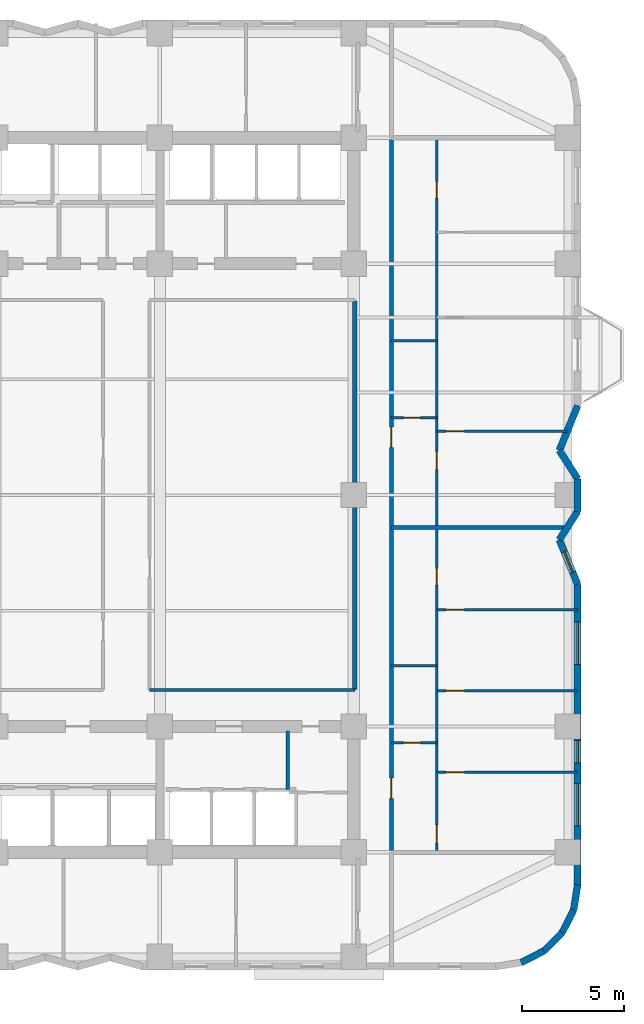
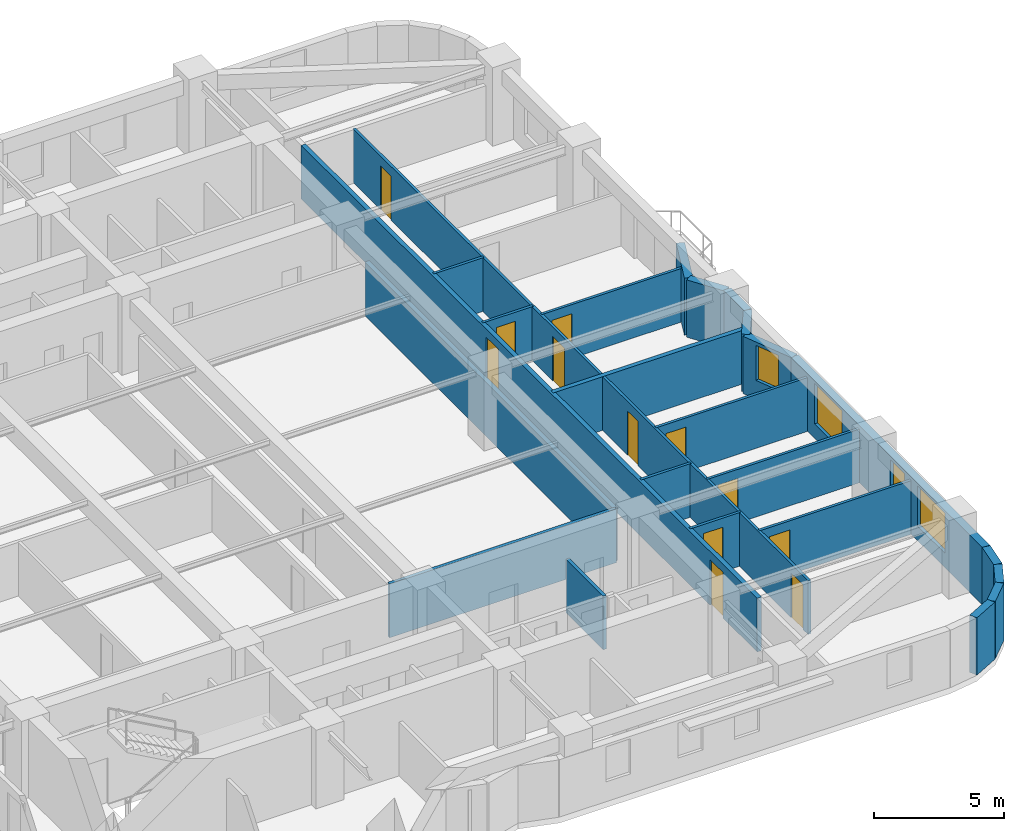
# One storey, part 5 of 11: 25 walls, 12 doors, 4 windows, 16 openings.
"""IFC4 building model written with IfcOpenShell, lengths in metres."""

from ifc_helpers import new_model, si_unit, direction, frame, frame_2d, origin, place, context, subcontext, project, spatial, rectangle, extrude, material, layer, layer_set, type_object, element, fill, save


model = new_model("IFC4")

# Units and contexts
model_context = context("Model", 3, precision=1e-05, world=origin(), true_north=direction((0.0, 1.0)))
body_context = subcontext(model_context, "Body", "Model", "MODEL_VIEW")
ifc_project = project(units=[si_unit("LENGTHUNIT", "METRE"), si_unit("AREAUNIT", "SQUARE_METRE"), si_unit("VOLUMEUNIT", "CUBIC_METRE"), si_unit("PLANEANGLEUNIT", "RADIAN"), si_unit("MASSUNIT", "GRAM", prefix="KILO")], contexts=[model_context])

# Site, building, storey
site_placement = place(None, origin())
site = spatial("IfcSite", under=ifc_project, at=site_placement, CompositionType="ELEMENT")
building_placement = place(site_placement, origin())
building = spatial("IfcBuilding", under=site, at=building_placement, Name="Svetorya Sky Lyceum", CompositionType="ELEMENT")
storey_placement = place(building_placement, frame((0.0, 0.0, 36.199951171875)))
storey = spatial("IfcBuildingStorey", under=building, at=storey_placement, Name="L08", CompositionType="ELEMENT", Elevation=36.199951171875)

# Walls
ifc_material_1 = material(Name="Putilovo limestone rainscreen on autoclaved cellular masonry", Category="masonry")
ifc_layer_1 = layer(ifc_material_1, 0.340087890625)
ifc_layer_set_1 = layer_set([ifc_layer_1], Name="Putilovo limestone rainscreen on autoclaved cellular masonry")
wall_type_1 = type_object("IfcWallType", Name="WL-EXT-340", PredefinedType="SOLIDWALL", material=ifc_layer_set_1)
for number, where, z_axis, x_axis, name in (
    (1, (61.04541015625, 5.167236328125, 0.0), (0.0, 0.0, 1.0), (0.890953769915, 0.454094020963, 0.0), "L08 Limestone Exterior Wall 13M"),
    (2, (62.168701171875, 5.73974609375, 0.0), (0.0, 0.0, 1.0), (0.707203598708, 0.707009950407, 0.0), "L08 Limestone Exterior Wall 14M"),
):
    element("IfcWall", number, at=place(storey_placement, frame(where, z_axis=z_axis, x_axis=x_axis)), inside=storey, type_object=wall_type_1, Name=name, PredefinedType="SOLIDWALL", context=body_context, shape_type="SweptSolid", body=[
        extrude(rectangle(XDim=1.2607421875, YDim=0.340087890625, at=frame_2d((0.63037109375, 0.0))), origin(), (0.0, 0.0, 1.0), 2.699951171875),
    ])
for number, where, z_axis, x_axis, name in (
    (3, (63.060302734375, 6.631103515625, 0.0), (0.0, 0.0, 1.0), (0.454015689056, 0.890993689142, 0.0), "L08 Limestone Exterior Wall 15M"),
    (4, (63.6328125, 7.754638671875, 0.0), (0.0, 0.0, 1.0), (0.15644975923, 0.987685918112, 0.0), "L08 Limestone Exterior Wall 16M"),
):
    element("IfcWall", number, at=place(storey_placement, frame(where, z_axis=z_axis, x_axis=x_axis)), inside=storey, type_object=wall_type_1, Name=name, PredefinedType="SOLIDWALL", context=body_context, shape_type="SweptSolid", body=[
        extrude(rectangle(XDim=1.260986328125, YDim=0.340087890625, at=frame_2d((0.63037109375, 0.0))), origin(), (0.0, 0.0, 1.0), 2.699951171875),
    ])

# Wall, openings, windows
wall_1_placement = place(storey_placement, frame((63.830078125, 9.0, 0.0), z_axis=(0.0, 0.0, 1.0), x_axis=(0.0, 1.0, 0.0)))
wall_1 = element("IfcWall", 5, at=wall_1_placement, inside=storey, type_object=wall_type_1, Name="L08 Limestone Exterior Wall 17M", PredefinedType="SOLIDWALL", context=body_context, shape_type="SweptSolid", body=[
    extrude(rectangle(XDim=14.800048828125, YDim=0.340087890625, at=frame_2d((7.39990234375, 0.0))), origin(), (0.0, 0.0, 1.0), 2.699951171875),
])
opening_1_placement = place(wall_1_placement, frame((2.89990234375, 0.0, 0.679931640625)))
opening_1 = element("IfcOpeningElement", 6, at=opening_1_placement, cuts=wall_1, Name="Opening W-R0", PredefinedType="OPENING", context=body_context, shape_type="SweptSolid", body=[
    extrude(rectangle(XDim=2.10009765625, YDim=1.89990234375, at=frame_2d((1.050048828125, 0.949951171875))), frame((0.0, 0.179931640625, 0.0), z_axis=(0.0, -1.0, 0.0), x_axis=(1.0, 0.0, 0.0)), (0.0, 0.0, 1.0), 0.360107421875),
])
opening_2_placement = place(wall_1_placement, frame((6.0, 0.0, 0.889892578125)))
opening_2 = element("IfcOpeningElement", 7, at=opening_2_placement, cuts=wall_1, Name="Opening W-R3", PredefinedType="OPENING", context=body_context, shape_type="SweptSolid", body=[
    extrude(rectangle(XDim=1.10009765625, YDim=1.64990234375, at=frame_2d((0.550048828125, 0.824951171875))), frame((0.0, 0.179931640625, 0.0), z_axis=(0.0, -1.0, 0.0), x_axis=(1.0, 0.0, 0.0)), (0.0, 0.0, 1.0), 0.360107421875),
])
opening_3_placement = place(wall_1_placement, frame((10.85009765625, 0.0, 0.679931640625)))
opening_3 = element("IfcOpeningElement", 8, at=opening_3_placement, cuts=wall_1, Name="Opening W-R0", PredefinedType="OPENING", context=body_context, shape_type="SweptSolid", body=[
    extrude(rectangle(XDim=2.10009765625, YDim=1.89990234375, at=frame_2d((1.050048828125, 0.949951171875))), frame((0.0, 0.179931640625, 0.0), z_axis=(0.0, -1.0, 0.0), x_axis=(1.0, 0.0, 0.0)), (0.0, 0.0, 1.0), 0.360107421875),
])
ifc_material_2 = material(Name="Thermally broken aluminium frame with triple low-E glazing", Category="aluminium")
window_type_1 = type_object("IfcWindowType", Name="WN-RES-110", PartitioningType="SINGLE_PANEL", PredefinedType="WINDOW", material=ifc_material_2)
window_1_placement = place(opening_2_placement, origin())
window_1 = element("IfcWindow", 9, at=window_1_placement, inside=storey, type_object=window_type_1, Name="L08 Facade Window W-R3.17M.3", OverallHeight=1.64990234375, OverallWidth=1.10009765625, PartitioningType="SINGLE_PANEL", PredefinedType="WINDOW", context=body_context, shape_type="SweptSolid", body=[
    extrude(rectangle(XDim=1.10009765625, YDim=1.64990234375, at=frame_2d((0.550048828125, 0.824951171875))), frame((0.0, 0.030029296875, 0.0), z_axis=(0.0, -1.0, 0.0), x_axis=(1.0, 0.0, 0.0)), (0.0, 0.0, 1.0), 0.06005859375),
])
fill(opening_2, window_1)
window_type_2 = type_object("IfcWindowType", Name="WN-RES-210", PartitioningType="TRIPLE_PANEL_VERTICAL", PredefinedType="WINDOW", material=ifc_material_2)
window_2_placement = place(opening_1_placement, origin())
window_2 = element("IfcWindow", 10, at=window_2_placement, inside=storey, type_object=window_type_2, Name="L08 Facade Window W-R0.17M.1", OverallHeight=1.89990234375, OverallWidth=2.10009765625, PartitioningType="SINGLE_PANEL", PredefinedType="WINDOW", context=body_context, shape_type="SweptSolid", body=[
    extrude(rectangle(XDim=2.10009765625, YDim=1.89990234375, at=frame_2d((1.050048828125, 0.949951171875))), frame((0.0, 0.030029296875, 0.0), z_axis=(0.0, -1.0, 0.0), x_axis=(1.0, 0.0, 0.0)), (0.0, 0.0, 1.0), 0.06005859375),
])
fill(opening_1, window_2)
window_3_placement = place(opening_3_placement, origin())
window_3 = element("IfcWindow", 11, at=window_3_placement, inside=storey, type_object=window_type_2, Name="L08 Facade Window W-R0.17M.2", OverallHeight=1.89990234375, OverallWidth=2.10009765625, PartitioningType="SINGLE_PANEL", PredefinedType="WINDOW", context=body_context, shape_type="SweptSolid", body=[
    extrude(rectangle(XDim=2.10009765625, YDim=1.89990234375, at=frame_2d((1.050048828125, 0.949951171875))), frame((0.0, 0.030029296875, 0.0), z_axis=(0.0, -1.0, 0.0), x_axis=(1.0, 0.0, 0.0)), (0.0, 0.0, 1.0), 0.06005859375),
])
fill(opening_3, window_3)

# Wall, opening, window
wall_2_placement = place(storey_placement, frame((63.830078125, 23.800048828125, 0.0), z_axis=(0.0, 0.0, 1.0), x_axis=(-0.378692835005, 0.925522412865, 0.0)))
wall_2 = element("IfcWall", 12, at=wall_2_placement, inside=storey, type_object=wall_type_1, Name="L08 Limestone Exterior Wall 18M", PredefinedType="SOLIDWALL", context=body_context, shape_type="SweptSolid", body=[
    extrude(rectangle(XDim=2.376953125, YDim=0.340087890625, at=frame_2d((1.1884765625, 0.0))), origin(), (0.0, 0.0, 1.0), 2.699951171875),
])
opening_4_placement = place(wall_2_placement, frame((0.638427734375, 0.0, 0.889892578125)))
opening_4 = element("IfcOpeningElement", 13, at=opening_4_placement, cuts=wall_2, Name="Opening W-R3", PredefinedType="OPENING", context=body_context, shape_type="SweptSolid", body=[
    extrude(rectangle(XDim=1.10009765625, YDim=1.64990234375, at=frame_2d((0.550048828125, 0.824951171875))), frame((0.0, 0.179931640625, 0.0), z_axis=(0.0, -1.0, 0.0), x_axis=(1.0, 0.0, 0.0)), (0.0, 0.0, 1.0), 0.360107421875),
])
window_4_placement = place(opening_4_placement, origin())
window_4 = element("IfcWindow", 14, at=window_4_placement, inside=storey, type_object=window_type_1, Name="L08 Facade Window W-R3.18M.1", OverallHeight=1.64990234375, OverallWidth=1.10009765625, PartitioningType="SINGLE_PANEL", PredefinedType="WINDOW", context=body_context, shape_type="SweptSolid", body=[
    extrude(rectangle(XDim=1.10009765625, YDim=1.64990234375, at=frame_2d((0.550048828125, 0.824951171875))), frame((0.0, 0.030029296875, 0.0), z_axis=(0.0, -1.0, 0.0), x_axis=(1.0, 0.0, 0.0)), (0.0, 0.0, 1.0), 0.06005859375),
])
fill(opening_4, window_4)

# Walls
wall_3_placement = place(storey_placement, frame((62.929931640625, 26.0, 0.0), z_axis=(0.0, 0.0, 1.0), x_axis=(0.540846555596, 0.841121277403, 0.0)))
element("IfcWall", 15, at=wall_3_placement, inside=storey, type_object=wall_type_1, Name="L08 Limestone Exterior Wall 19M", PredefinedType="SOLIDWALL", context=body_context, shape_type="SweptSolid", body=[
    extrude(rectangle(XDim=1.664306640625, YDim=0.340087890625, at=frame_2d((0.83203125, 0.0))), origin(), (0.0, 0.0, 1.0), 2.699951171875),
])
wall_4_placement = place(storey_placement, frame((63.830078125, 27.39990234375, 0.0), z_axis=(0.0, 0.0, 1.0), x_axis=(0.0, 1.0, 0.0)))
element("IfcWall", 16, at=wall_4_placement, inside=storey, type_object=wall_type_1, Name="L08 Limestone Exterior Wall 20M", PredefinedType="SOLIDWALL", context=body_context, shape_type="SweptSolid", body=[
    extrude(rectangle(XDim=1.60009765625, YDim=0.340087890625, at=frame_2d((0.800048828125, 0.0))), origin(), (0.0, 0.0, 1.0), 2.699951171875),
])
wall_5_placement = place(storey_placement, frame((63.830078125, 29.0, 0.0), z_axis=(0.0, 0.0, 1.0), x_axis=(-0.540846555596, 0.841121277403, 0.0)))
element("IfcWall", 17, at=wall_5_placement, inside=storey, type_object=wall_type_1, Name="L08 Limestone Exterior Wall 21M", PredefinedType="SOLIDWALL", context=body_context, shape_type="SweptSolid", body=[
    extrude(rectangle(XDim=1.664306640625, YDim=0.340087890625, at=frame_2d((0.83203125, 0.0))), origin(), (0.0, 0.0, 1.0), 2.699951171875),
])
wall_6_placement = place(storey_placement, frame((62.929931640625, 30.39990234375, 0.0), z_axis=(0.0, 0.0, 1.0), x_axis=(0.378656839344, 0.925537140269, 0.0)))
element("IfcWall", 18, at=wall_6_placement, inside=storey, type_object=wall_type_1, Name="L08 Limestone Exterior Wall 22M", PredefinedType="SOLIDWALL", context=body_context, shape_type="SweptSolid", body=[
    extrude(rectangle(XDim=2.377197265625, YDim=0.340087890625, at=frame_2d((1.1884765625, 0.0))), origin(), (0.0, 0.0, 1.0), 2.699951171875),
])

# Wall, opening, door
ifc_material_3 = material(Name="Twin-stud galvanized framing with double fireboard", Category="gypsum")
ifc_layer_2 = layer(ifc_material_3, 0.1201171875)
ifc_layer_set_2 = layer_set([ifc_layer_2], Name="Twin-stud galvanized framing with double fireboard")
wall_type_2 = type_object("IfcWallType", Name="WL-PART-120", PredefinedType="PARTITIONING", material=ifc_layer_set_2)
wall_7_placement = place(storey_placement, frame((54.64990234375, 16.0, 0.0), z_axis=(0.0, 0.0, 1.0), x_axis=(1.0, 0.0, 0.0)))
wall_7 = element("IfcWall", 19, at=wall_7_placement, inside=storey, type_object=wall_type_2, Name="L08 Interior Partition E1-WH1", PredefinedType="PARTITIONING", context=body_context, shape_type="SweptSolid", body=[
    extrude(rectangle(XDim=2.25, YDim=0.1201171875, at=frame_2d((1.125, 0.0))), origin(), (0.0, 0.0, 1.0), 2.530029296875),
])
opening_5_placement = place(wall_7_placement, frame((0.60009765625, 0.0, 0.0)))
opening_5 = element("IfcOpeningElement", 20, at=opening_5_placement, cuts=wall_7, Name="Opening D-BT1", PredefinedType="OPENING", context=body_context, shape_type="SweptSolid", body=[
    extrude(rectangle(XDim=0.85009765625, YDim=2.10009765625, at=frame_2d((0.425048828125, 1.050048828125))), frame((0.0, 0.070068359375, 0.0), z_axis=(0.0, -1.0, 0.0), x_axis=(1.0, 0.0, 0.0)), (0.0, 0.0, 1.0), 0.14013671875),
])
ifc_material_4 = material(Name="Moisture-resistant laminate bathroom door")
door_type_1 = type_object("IfcDoorType", Name="DR-WET-850", OperationType="SINGLE_SWING_LEFT", PredefinedType="DOOR", material=ifc_material_4)
door_1_placement = place(opening_5_placement, origin())
door_1 = element("IfcDoor", 21, at=door_1_placement, inside=storey, type_object=door_type_1, Name="Apartment E1 Bathroom Door", OperationType="SINGLE_SWING_RIGHT", OverallHeight=2.10009765625, OverallWidth=0.85009765625, PredefinedType="DOOR", context=body_context, shape_type="SweptSolid", body=[
    extrude(rectangle(XDim=0.85009765625, YDim=2.10009765625, at=frame_2d((0.425048828125, 1.050048828125))), frame((0.0, 0.02490234375, 0.0), z_axis=(0.0, -1.0, 0.0), x_axis=(1.0, 0.0, 0.0)), (0.0, 0.0, 1.0), 0.050048828125),
])
fill(opening_5, door_1)

# Wall
wall_8_placement = place(storey_placement, frame((54.64990234375, 19.800048828125, 0.0), z_axis=(0.0, 0.0, 1.0), x_axis=(1.0, 0.0, 0.0)))
element("IfcWall", 22, at=wall_8_placement, inside=storey, type_object=wall_type_2, Name="L08 Interior Partition E1-WH2", PredefinedType="PARTITIONING", context=body_context, shape_type="SweptSolid", body=[
    extrude(rectangle(XDim=2.25, YDim=0.1201171875, at=frame_2d((1.125, 0.0))), origin(), (0.0, 0.0, 1.0), 2.530029296875),
])

# Wall, opening, door
wall_9_placement = place(storey_placement, frame((56.89990234375, 14.550048828125, 0.0), z_axis=(0.0, 0.0, 1.0), x_axis=(1.0, 0.0, 0.0)))
wall_9 = element("IfcWall", 23, at=wall_9_placement, inside=storey, type_object=wall_type_2, Name="L08 Interior Partition E1-WL1", PredefinedType="PARTITIONING", context=body_context, shape_type="SweptSolid", body=[
    extrude(rectangle(XDim=6.93017578125, YDim=0.1201171875, at=frame_2d((3.465087890625, 0.0))), origin(), (0.0, 0.0, 1.0), 2.530029296875),
])
opening_6_placement = place(wall_9_placement, frame((0.449951171875, 0.0, 0.0)))
opening_6 = element("IfcOpeningElement", 24, at=opening_6_placement, cuts=wall_9, Name="Opening D-RM1", PredefinedType="OPENING", context=body_context, shape_type="SweptSolid", body=[
    extrude(rectangle(XDim=0.89990234375, YDim=2.10009765625, at=frame_2d((0.449951171875, 1.050048828125))), frame((0.0, 0.070068359375, 0.0), z_axis=(0.0, -1.0, 0.0), x_axis=(1.0, 0.0, 0.0)), (0.0, 0.0, 1.0), 0.14013671875),
])
ifc_material_5 = material(Name="Lacquered birch veneer internal door")
door_type_2 = type_object("IfcDoorType", Name="DR-INT-900", OperationType="SINGLE_SWING_LEFT", PredefinedType="DOOR", material=ifc_material_5)
door_2_placement = place(opening_6_placement, origin())
door_2 = element("IfcDoor", 25, at=door_2_placement, inside=storey, type_object=door_type_2, Name="Apartment E1 Master Bedroom Door", OperationType="SINGLE_SWING_RIGHT", OverallHeight=2.10009765625, OverallWidth=0.89990234375, PredefinedType="DOOR", context=body_context, shape_type="SweptSolid", body=[
    extrude(rectangle(XDim=0.89990234375, YDim=2.10009765625, at=frame_2d((0.449951171875, 1.050048828125))), frame((0.0, 0.02490234375, 0.0), z_axis=(0.0, -1.0, 0.0), x_axis=(1.0, 0.0, 0.0)), (0.0, 0.0, 1.0), 0.050048828125),
])
fill(opening_6, door_2)

wall_10_placement = place(storey_placement, frame((56.89990234375, 18.550048828125, 0.0), z_axis=(0.0, 0.0, 1.0), x_axis=(1.0, 0.0, 0.0)))
wall_10 = element("IfcWall", 26, at=wall_10_placement, inside=storey, type_object=wall_type_2, Name="L08 Interior Partition E1-WL2", PredefinedType="PARTITIONING", context=body_context, shape_type="SweptSolid", body=[
    extrude(rectangle(XDim=6.93017578125, YDim=0.1201171875, at=frame_2d((3.465087890625, 0.0))), origin(), (0.0, 0.0, 1.0), 2.530029296875),
])
opening_7_placement = place(wall_10_placement, frame((0.449951171875, 0.0, 0.0)))
opening_7 = element("IfcOpeningElement", 27, at=opening_7_placement, cuts=wall_10, Name="Opening D-RM1", PredefinedType="OPENING", context=body_context, shape_type="SweptSolid", body=[
    extrude(rectangle(XDim=0.89990234375, YDim=2.10009765625, at=frame_2d((0.449951171875, 1.050048828125))), frame((0.0, 0.070068359375, 0.0), z_axis=(0.0, -1.0, 0.0), x_axis=(1.0, 0.0, 0.0)), (0.0, 0.0, 1.0), 0.14013671875),
])
door_3_placement = place(opening_7_placement, origin())
door_3 = element("IfcDoor", 28, at=door_3_placement, inside=storey, type_object=door_type_2, Name="Apartment E1 Bedroom 2 Door", OperationType="SINGLE_SWING_LEFT", OverallHeight=2.10009765625, OverallWidth=0.89990234375, PredefinedType="DOOR", context=body_context, shape_type="SweptSolid", body=[
    extrude(rectangle(XDim=0.89990234375, YDim=2.10009765625, at=frame_2d((0.449951171875, 1.050048828125))), frame((0.0, 0.02490234375, 0.0), z_axis=(0.0, -1.0, 0.0), x_axis=(1.0, 0.0, 0.0)), (0.0, 0.0, 1.0), 0.050048828125),
])
fill(opening_7, door_3)

wall_11_placement = place(storey_placement, frame((56.89990234375, 22.550048828125, 0.0), z_axis=(0.0, 0.0, 1.0), x_axis=(1.0, 0.0, 0.0)))
wall_11 = element("IfcWall", 29, at=wall_11_placement, inside=storey, type_object=wall_type_2, Name="L08 Interior Partition E1-WL3", PredefinedType="PARTITIONING", context=body_context, shape_type="SweptSolid", body=[
    extrude(rectangle(XDim=6.93017578125, YDim=0.1201171875, at=frame_2d((3.465087890625, 0.0))), origin(), (0.0, 0.0, 1.0), 2.530029296875),
])
opening_8_placement = place(wall_11_placement, frame((0.449951171875, 0.0, 0.0)))
opening_8 = element("IfcOpeningElement", 30, at=opening_8_placement, cuts=wall_11, Name="Opening D-RM1", PredefinedType="OPENING", context=body_context, shape_type="SweptSolid", body=[
    extrude(rectangle(XDim=0.89990234375, YDim=2.10009765625, at=frame_2d((0.449951171875, 1.050048828125))), frame((0.0, 0.070068359375, 0.0), z_axis=(0.0, -1.0, 0.0), x_axis=(1.0, 0.0, 0.0)), (0.0, 0.0, 1.0), 0.14013671875),
])
door_4_placement = place(opening_8_placement, origin())
door_4 = element("IfcDoor", 31, at=door_4_placement, inside=storey, type_object=door_type_2, Name="Apartment E1 Bedroom 3 Door", OperationType="SINGLE_SWING_RIGHT", OverallHeight=2.10009765625, OverallWidth=0.89990234375, PredefinedType="DOOR", context=body_context, shape_type="SweptSolid", body=[
    extrude(rectangle(XDim=0.89990234375, YDim=2.10009765625, at=frame_2d((0.449951171875, 1.050048828125))), frame((0.0, 0.02490234375, 0.0), z_axis=(0.0, -1.0, 0.0), x_axis=(1.0, 0.0, 0.0)), (0.0, 0.0, 1.0), 0.050048828125),
])
fill(opening_8, door_4)

# Wall, openings, doors
wall_12_placement = place(storey_placement, frame((56.89990234375, 10.639892578125, 0.0), z_axis=(0.0, 0.0, 1.0), x_axis=(0.0, 1.0, 0.0)))
wall_12 = element("IfcWall", 32, at=wall_12_placement, inside=storey, type_object=wall_type_2, Name="L08 Interior Partition E1-WV", PredefinedType="PARTITIONING", context=body_context, shape_type="SweptSolid", body=[
    extrude(rectangle(XDim=15.920166015625, YDim=0.1201171875, at=frame_2d((7.9599609375, 0.0))), origin(), (0.0, 0.0, 1.0), 2.530029296875),
])
opening_9_placement = place(wall_12_placement, frame((0.409912109375, 0.0, 0.0)))
opening_9 = element("IfcOpeningElement", 33, at=opening_9_placement, cuts=wall_12, Name="Opening D-RM1", PredefinedType="OPENING", context=body_context, shape_type="SweptSolid", body=[
    extrude(rectangle(XDim=0.89990234375, YDim=2.10009765625, at=frame_2d((0.449951171875, 1.050048828125))), frame((0.0, 0.070068359375, 0.0), z_axis=(0.0, -1.0, 0.0), x_axis=(1.0, 0.0, 0.0)), (0.0, 0.0, 1.0), 0.14013671875),
])
opening_10_placement = place(wall_12_placement, frame((13.125, 0.0, 0.0)))
opening_10 = element("IfcOpeningElement", 34, at=opening_10_placement, cuts=wall_12, Name="Opening D-BT2", PredefinedType="OPENING", context=body_context, shape_type="SweptSolid", body=[
    extrude(rectangle(XDim=0.820068359375, YDim=2.080078125, at=frame_2d((0.41015625, 1.0400390625))), frame((0.0, 0.070068359375, 0.0), z_axis=(0.0, -1.0, 0.0), x_axis=(1.0, 0.0, 0.0)), (0.0, 0.0, 1.0), 0.14013671875),
])
door_5_placement = place(opening_9_placement, origin())
door_5 = element("IfcDoor", 35, at=door_5_placement, inside=storey, type_object=door_type_2, Name="Apartment E1 Living Door", OperationType="SINGLE_SWING_LEFT", OverallHeight=2.10009765625, OverallWidth=0.89990234375, PredefinedType="DOOR", context=body_context, shape_type="SweptSolid", body=[
    extrude(rectangle(XDim=0.89990234375, YDim=2.10009765625, at=frame_2d((0.449951171875, 1.050048828125))), frame((0.0, 0.02490234375, 0.0), z_axis=(0.0, -1.0, 0.0), x_axis=(1.0, 0.0, 0.0)), (0.0, 0.0, 1.0), 0.050048828125),
])
fill(opening_9, door_5)
ifc_material_6 = material(Name="Compact moisture-resistant laminate closet door")
door_type_3 = type_object("IfcDoorType", Name="DR-WET-820", OperationType="SINGLE_SWING_LEFT", PredefinedType="DOOR", material=ifc_material_6)
door_6_placement = place(opening_10_placement, origin())
door_6 = element("IfcDoor", 36, at=door_6_placement, inside=storey, type_object=door_type_3, Name="Apartment E1 Study Door", OperationType="SINGLE_SWING_RIGHT", OverallHeight=2.080078125, OverallWidth=0.820068359375, PredefinedType="DOOR", context=body_context, shape_type="SweptSolid", body=[
    extrude(rectangle(XDim=0.820068359375, YDim=2.080078125, at=frame_2d((0.41015625, 1.0400390625))), frame((0.0, 0.02490234375, 0.0), z_axis=(0.0, -1.0, 0.0), x_axis=(1.0, 0.0, 0.0)), (0.0, 0.0, 1.0), 0.050048828125),
])
fill(opening_10, door_6)

# Wall, opening, door
wall_13_placement = place(storey_placement, frame((54.64990234375, 32.0, 0.0), z_axis=(0.0, 0.0, 1.0), x_axis=(1.0, 0.0, 0.0)))
wall_13 = element("IfcWall", 37, at=wall_13_placement, inside=storey, type_object=wall_type_2, Name="L08 Interior Partition E2-WH1", PredefinedType="PARTITIONING", context=body_context, shape_type="SweptSolid", body=[
    extrude(rectangle(XDim=2.25, YDim=0.1201171875, at=frame_2d((1.125, 0.0))), origin(), (0.0, 0.0, 1.0), 2.530029296875),
])
opening_11_placement = place(wall_13_placement, frame((0.60009765625, 0.0, 0.0)))
opening_11 = element("IfcOpeningElement", 38, at=opening_11_placement, cuts=wall_13, Name="Opening D-BT1", PredefinedType="OPENING", context=body_context, shape_type="SweptSolid", body=[
    extrude(rectangle(XDim=0.85009765625, YDim=2.10009765625, at=frame_2d((0.425048828125, 1.050048828125))), frame((0.0, 0.070068359375, 0.0), z_axis=(0.0, -1.0, 0.0), x_axis=(1.0, 0.0, 0.0)), (0.0, 0.0, 1.0), 0.14013671875),
])
door_7_placement = place(opening_11_placement, origin())
door_7 = element("IfcDoor", 39, at=door_7_placement, inside=storey, type_object=door_type_1, Name="Apartment E2 Bathroom Door", OperationType="SINGLE_SWING_LEFT", OverallHeight=2.10009765625, OverallWidth=0.85009765625, PredefinedType="DOOR", context=body_context, shape_type="SweptSolid", body=[
    extrude(rectangle(XDim=0.85009765625, YDim=2.10009765625, at=frame_2d((0.425048828125, 1.050048828125))), frame((0.0, 0.02490234375, 0.0), z_axis=(0.0, -1.0, 0.0), x_axis=(1.0, 0.0, 0.0)), (0.0, 0.0, 1.0), 0.050048828125),
])
fill(opening_11, door_7)

# Wall
wall_14_placement = place(storey_placement, frame((54.64990234375, 35.800048828125, 0.0), z_axis=(0.0, 0.0, 1.0), x_axis=(1.0, 0.0, 0.0)))
element("IfcWall", 40, at=wall_14_placement, inside=storey, type_object=wall_type_2, Name="L08 Interior Partition E2-WH2", PredefinedType="PARTITIONING", context=body_context, shape_type="SweptSolid", body=[
    extrude(rectangle(XDim=2.25, YDim=0.1201171875, at=frame_2d((1.125, 0.0))), origin(), (0.0, 0.0, 1.0), 2.530029296875),
])

# Wall, opening, door
wall_15_placement = place(storey_placement, frame((56.89990234375, 31.35009765625, 0.0), z_axis=(0.0, 0.0, 1.0), x_axis=(1.0, 0.0, 0.0)))
wall_15 = element("IfcWall", 41, at=wall_15_placement, inside=storey, type_object=wall_type_2, Name="L08 Interior Partition E2-WL1", PredefinedType="PARTITIONING", context=body_context, shape_type="SweptSolid", body=[
    extrude(rectangle(XDim=6.418701171875, YDim=0.1201171875, at=frame_2d((3.20947265625, 0.0))), origin(), (0.0, 0.0, 1.0), 2.530029296875),
])
opening_12_placement = place(wall_15_placement, frame((0.449951171875, 0.0, 0.0)))
opening_12 = element("IfcOpeningElement", 42, at=opening_12_placement, cuts=wall_15, Name="Opening D-RM1", PredefinedType="OPENING", context=body_context, shape_type="SweptSolid", body=[
    extrude(rectangle(XDim=0.89990234375, YDim=2.10009765625, at=frame_2d((0.449951171875, 1.050048828125))), frame((0.0, 0.070068359375, 0.0), z_axis=(0.0, -1.0, 0.0), x_axis=(1.0, 0.0, 0.0)), (0.0, 0.0, 1.0), 0.14013671875),
])
door_8_placement = place(opening_12_placement, origin())
door_8 = element("IfcDoor", 43, at=door_8_placement, inside=storey, type_object=door_type_2, Name="Apartment E2 Master Bedroom Door", OperationType="SINGLE_SWING_LEFT", OverallHeight=2.10009765625, OverallWidth=0.89990234375, PredefinedType="DOOR", context=body_context, shape_type="SweptSolid", body=[
    extrude(rectangle(XDim=0.89990234375, YDim=2.10009765625, at=frame_2d((0.449951171875, 1.050048828125))), frame((0.0, 0.02490234375, 0.0), z_axis=(0.0, -1.0, 0.0), x_axis=(1.0, 0.0, 0.0)), (0.0, 0.0, 1.0), 0.050048828125),
])
fill(opening_12, door_8)

# Wall, openings, doors
wall_16_placement = place(storey_placement, frame((56.89990234375, 26.639892578125, 0.0), z_axis=(0.0, 0.0, 1.0), x_axis=(0.0, 1.0, 0.0)))
wall_16 = element("IfcWall", 44, at=wall_16_placement, inside=storey, type_object=wall_type_2, Name="L08 Interior Partition E2-WV", PredefinedType="PARTITIONING", context=body_context, shape_type="SweptSolid", body=[
    extrude(rectangle(XDim=19.1201171875, YDim=0.1201171875, at=frame_2d((9.56005859375, 0.0))), origin(), (0.0, 0.0, 1.0), 2.530029296875),
])
opening_13_placement = place(wall_16_placement, frame((2.81005859375, 0.0, 0.0)))
opening_13 = element("IfcOpeningElement", 45, at=opening_13_placement, cuts=wall_16, Name="Opening D-RM1", PredefinedType="OPENING", context=body_context, shape_type="SweptSolid", body=[
    extrude(rectangle(XDim=0.89990234375, YDim=2.10009765625, at=frame_2d((0.449951171875, 1.050048828125))), frame((0.0, 0.070068359375, 0.0), z_axis=(0.0, -1.0, 0.0), x_axis=(1.0, 0.0, 0.0)), (0.0, 0.0, 1.0), 0.14013671875),
])
opening_14_placement = place(wall_16_placement, frame((16.179931640625, 0.0, 0.0)))
opening_14 = element("IfcOpeningElement", 46, at=opening_14_placement, cuts=wall_16, Name="Opening D-BT2", PredefinedType="OPENING", context=body_context, shape_type="SweptSolid", body=[
    extrude(rectangle(XDim=0.820068359375, YDim=2.080078125, at=frame_2d((0.41015625, 1.0400390625))), frame((0.0, 0.070068359375, 0.0), z_axis=(0.0, -1.0, 0.0), x_axis=(1.0, 0.0, 0.0)), (0.0, 0.0, 1.0), 0.14013671875),
])
door_9_placement = place(opening_13_placement, origin())
door_9 = element("IfcDoor", 47, at=door_9_placement, inside=storey, type_object=door_type_2, Name="Apartment E2 Living Door", OperationType="SINGLE_SWING_RIGHT", OverallHeight=2.10009765625, OverallWidth=0.89990234375, PredefinedType="DOOR", context=body_context, shape_type="SweptSolid", body=[
    extrude(rectangle(XDim=0.89990234375, YDim=2.10009765625, at=frame_2d((0.449951171875, 1.050048828125))), frame((0.0, 0.02490234375, 0.0), z_axis=(0.0, -1.0, 0.0), x_axis=(1.0, 0.0, 0.0)), (0.0, 0.0, 1.0), 0.050048828125),
])
fill(opening_13, door_9)
door_10_placement = place(opening_14_placement, origin())
door_10 = element("IfcDoor", 48, at=door_10_placement, inside=storey, type_object=door_type_3, Name="Apartment E2 Study Door", OperationType="SINGLE_SWING_LEFT", OverallHeight=2.080078125, OverallWidth=0.820068359375, PredefinedType="DOOR", context=body_context, shape_type="SweptSolid", body=[
    extrude(rectangle(XDim=0.820068359375, YDim=2.080078125, at=frame_2d((0.41015625, 1.0400390625))), frame((0.0, 0.02490234375, 0.0), z_axis=(0.0, -1.0, 0.0), x_axis=(1.0, 0.0, 0.0)), (0.0, 0.0, 1.0), 0.050048828125),
])
fill(opening_14, door_10)

# Walls
ifc_material_7 = material(Name="Autoclaved cellular masonry blockwork with acoustic render", Category="masonry")
ifc_layer_3 = layer(ifc_material_7, 0.14990234375)
ifc_layer_set_3 = layer_set([ifc_layer_3], Name="Autoclaved cellular masonry blockwork with acoustic render")
wall_type_3 = type_object("IfcWallType", Name="WL-PART-150", PredefinedType="PARTITIONING", material=ifc_layer_set_3)
wall_17_placement = place(storey_placement, frame((49.550048828125, 13.699951171875, 0.0), z_axis=(0.0, 0.0, 1.0), x_axis=(0.0, 1.0, 0.0)))
element("IfcWall", 49, at=wall_17_placement, inside=storey, type_object=wall_type_3, Name="L08 Interior Partition SC-AUX-V", PredefinedType="PARTITIONING", context=body_context, shape_type="SweptSolid", body=[
    extrude(rectangle(XDim=2.880126953125, YDim=0.14990234375, at=frame_2d((1.43994140625, 0.0))), origin(), (0.0, 0.0, 1.0), 2.530029296875),
])
wall_18_placement = place(storey_placement, frame((42.75, 18.60009765625, 0.0), z_axis=(0.0, 0.0, 1.0), x_axis=(1.0, 0.0, 0.0)))
element("IfcWall", 50, at=wall_18_placement, inside=storey, type_object=wall_type_3, Name="L08 Interior Partition CS-MID-E", PredefinedType="PARTITIONING", context=body_context, shape_type="SweptSolid", body=[
    extrude(rectangle(XDim=10.10009765625, YDim=0.14990234375, at=frame_2d((5.050048828125, 0.0))), origin(), (0.0, 0.0, 1.0), 2.530029296875),
])
ifc_material_8 = material(Name="Autoclaved cellular masonry blockwork with gypsum plaster", Category="masonry")
ifc_layer_4 = layer(ifc_material_8, 0.199951171875)
ifc_layer_set_4 = layer_set([ifc_layer_4], Name="Autoclaved cellular masonry blockwork with gypsum plaster")
wall_type_4 = type_object("IfcWallType", Name="WL-PART-200", PredefinedType="PARTITIONING", material=ifc_layer_set_4)
wall_19_placement = place(storey_placement, frame((52.85009765625, 18.6298828125, 0.0), z_axis=(0.0, 0.0, 1.0), x_axis=(0.0, 1.0, 0.0)))
element("IfcWall", 51, at=wall_19_placement, inside=storey, type_object=wall_type_4, Name="L08 Interior Partition E-CEN-SEP", PredefinedType="PARTITIONING", context=body_context, shape_type="SweptSolid", body=[
    extrude(rectangle(XDim=19.14013671875, YDim=0.199951171875, at=frame_2d((9.570068359375, 0.0))), origin(), (0.0, 0.0, 1.0), 2.530029296875),
])
wall_20_placement = place(storey_placement, frame((54.64990234375, 26.60009765625, 0.0), z_axis=(0.0, 0.0, 1.0), x_axis=(1.0, 0.0, 0.0)))
element("IfcWall", 52, at=wall_20_placement, inside=storey, type_object=wall_type_4, Name="L08 Interior Partition E-PARTY-1", PredefinedType="PARTITIONING", context=body_context, shape_type="SweptSolid", body=[
    extrude(rectangle(XDim=8.665771484375, YDim=0.199951171875, at=frame_2d((4.3330078125, 0.0))), origin(), (0.0, 0.0, 1.0), 2.530029296875),
])

# Wall, openings, doors
wall_21_placement = place(storey_placement, frame((54.64990234375, 10.60009765625, 0.0), z_axis=(0.0, 0.0, 1.0), x_axis=(0.0, 1.0, 0.0)))
wall_21 = element("IfcWall", 53, at=wall_21_placement, inside=storey, type_object=wall_type_4, Name="L08 Interior Partition E-CORRW", PredefinedType="PARTITIONING", context=body_context, shape_type="SweptSolid", body=[
    extrude(rectangle(XDim=35.199951171875, YDim=0.199951171875, at=frame_2d((17.60009765625, 0.0))), origin(), (0.0, 0.0, 1.0), 2.530029296875),
])
opening_15_placement = place(wall_21_placement, frame((2.64990234375, 0.0, 0.0)))
opening_15 = element("IfcOpeningElement", 54, at=opening_15_placement, cuts=wall_21, Name="Opening D-APT1", PredefinedType="OPENING", context=body_context, shape_type="SweptSolid", body=[
    extrude(rectangle(XDim=1.0, YDim=2.14990234375, at=frame_2d((0.5, 1.074951171875))), frame((0.0, 0.10986328125, 0.0), z_axis=(0.0, -1.0, 0.0), x_axis=(1.0, 0.0, 0.0)), (0.0, 0.0, 1.0), 0.219970703125),
])
opening_16_placement = place(wall_21_placement, frame((19.949951171875, 0.0, 0.0)))
opening_16 = element("IfcOpeningElement", 55, at=opening_16_placement, cuts=wall_21, Name="Opening D-APT1", PredefinedType="OPENING", context=body_context, shape_type="SweptSolid", body=[
    extrude(rectangle(XDim=1.0, YDim=2.14990234375, at=frame_2d((0.5, 1.074951171875))), frame((0.0, 0.10986328125, 0.0), z_axis=(0.0, -1.0, 0.0), x_axis=(1.0, 0.0, 0.0)), (0.0, 0.0, 1.0), 0.219970703125),
])
ifc_material_9 = material(Name="Insulated oak-veneered apartment entrance door")
door_type_4 = type_object("IfcDoorType", Name="DR-APT-1000", OperationType="SINGLE_SWING_LEFT", PredefinedType="DOOR", material=ifc_material_9)
door_11_placement = place(opening_15_placement, origin())
door_11 = element("IfcDoor", 56, at=door_11_placement, inside=storey, type_object=door_type_4, Name="L08 Apartment E1 Entrance Door", OperationType="SINGLE_SWING_RIGHT", OverallHeight=2.14990234375, OverallWidth=1.0, PredefinedType="DOOR", context=body_context, shape_type="SweptSolid", body=[
    extrude(rectangle(XDim=1.0, YDim=2.14990234375, at=frame_2d((0.5, 1.074951171875))), frame((0.0, 0.02490234375, 0.0), z_axis=(0.0, -1.0, 0.0), x_axis=(1.0, 0.0, 0.0)), (0.0, 0.0, 1.0), 0.050048828125),
])
fill(opening_15, door_11)
door_12_placement = place(opening_16_placement, origin())
door_12 = element("IfcDoor", 57, at=door_12_placement, inside=storey, type_object=door_type_4, Name="L08 Apartment E2 Entrance Door", OperationType="SINGLE_SWING_LEFT", OverallHeight=2.14990234375, OverallWidth=1.0, PredefinedType="DOOR", context=body_context, shape_type="SweptSolid", body=[
    extrude(rectangle(XDim=1.0, YDim=2.14990234375, at=frame_2d((0.5, 1.074951171875))), frame((0.0, 0.02490234375, 0.0), z_axis=(0.0, -1.0, 0.0), x_axis=(1.0, 0.0, 0.0)), (0.0, 0.0, 1.0), 0.050048828125),
])
fill(opening_16, door_12)

save(model, "model.ifc")
